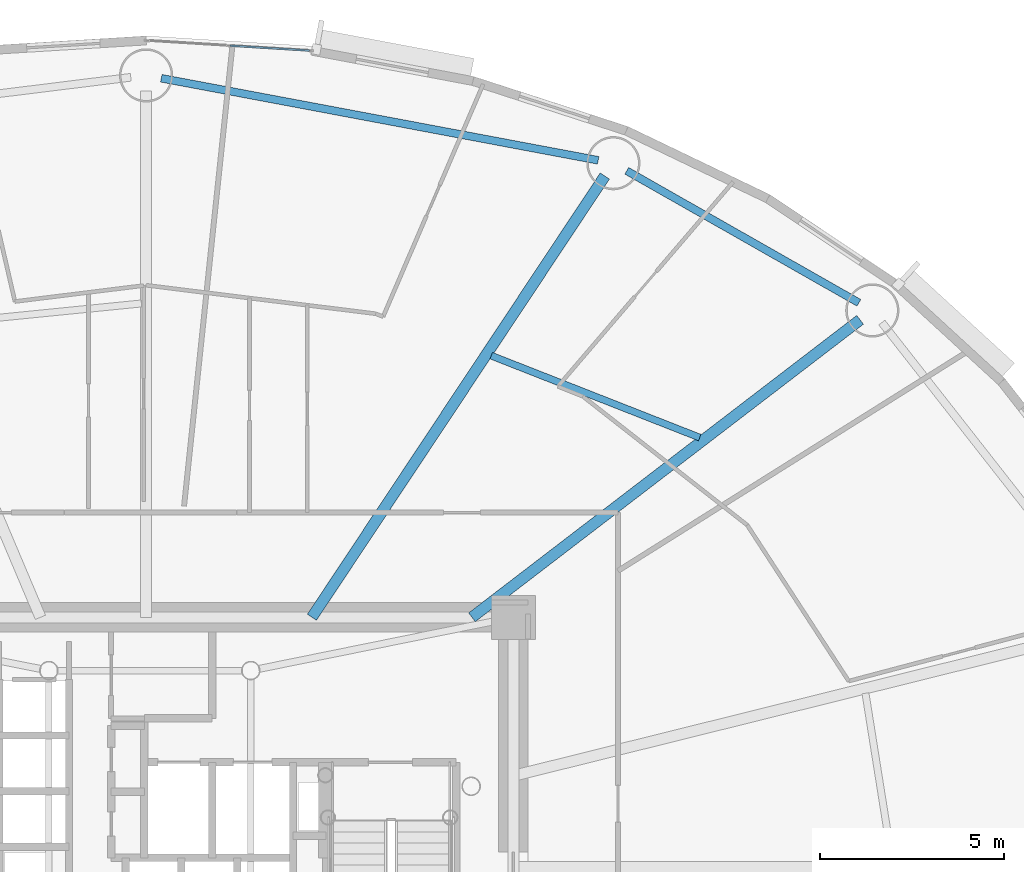
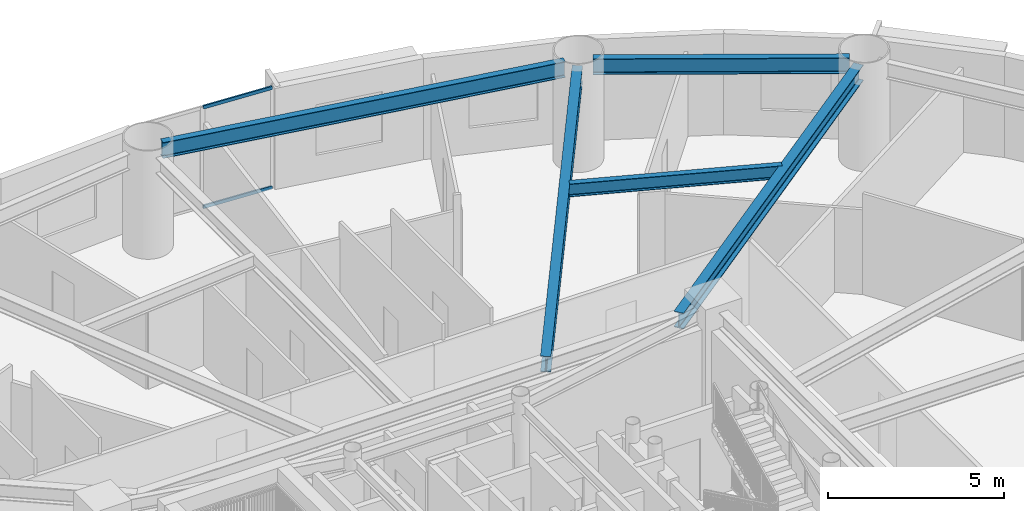
# One storey, part 5 of 19: 5 beams, 2 members, 1 element without a shape of its own.
"""IFC4 building model written with IfcOpenShell, lengths in metres."""

from ifc_helpers import new_model, si_unit, direction, frame, origin, origin_2d, place, context, subcontext, project, spatial, hollow_rectangle, i_section, extrude, source, transform, mapped, material, layer, layer_set, material_profile, profile_set, type_object, element, aggregate, save


model = new_model("IFC4")

# Units and contexts
model_context = context("Model", 3, precision=1e-05, world=origin(), true_north=direction((0.0, 1.0)))
body_context = subcontext(model_context, "Body", "Model", "MODEL_VIEW")
ifc_project = project(units=[si_unit("LENGTHUNIT", "METRE"), si_unit("AREAUNIT", "SQUARE_METRE"), si_unit("VOLUMEUNIT", "CUBIC_METRE"), si_unit("PLANEANGLEUNIT", "RADIAN"), si_unit("MASSUNIT", "GRAM", prefix="KILO")], contexts=[model_context])

# Site, building, storey
site_placement = place(None, origin())
site = spatial("IfcSite", under=ifc_project, at=site_placement, CompositionType="ELEMENT")
building_placement = place(site_placement, origin())
building = spatial("IfcBuilding", under=site, at=building_placement, Name="Linh Dai School and Residence Tower", CompositionType="ELEMENT")
storey_placement = place(building_placement, frame((0.0, 0.0, 119.699951171875)))
storey = spatial("IfcBuildingStorey", under=building, at=storey_placement, Name="L28", CompositionType="ELEMENT", Elevation=119.699951171875)

# Beams
ifc_material_1 = material(Name="Structural Steel S355JR", Category="steel")
ifc_material_profile_1 = material_profile(ifc_material_1, i_section(OverallWidth=0.2099609375, OverallDepth=0.550048828125, WebThickness=0.010986328125, FlangeThickness=0.01708984375, FilletRadius=0.02392578125, at=origin_2d()), Name="IPE 550")
ifc_profile_set_1 = profile_set([ifc_material_profile_1], Name="Structural Steel S355JR")
beam_type_1 = type_object("IfcBeamType", Name="BM-RB55", PredefinedType="BEAM", material=ifc_profile_set_1)
beam_1_placement = place(storey_placement, frame((55.407470703125, 42.363037109375, 3.22509765625), z_axis=(-0.86927031475, 0.494337050902, 0.0), x_axis=(-0.494337050902, -0.86927031475, 0.0)))
element("IfcBeam", 1, at=beam_1_placement, inside=storey, type_object=beam_type_1, Name="L28 Perimeter Elliptical Ring Beam 03", PredefinedType="BEAM", context=body_context, shape_type="SweptSolid", body=[
    extrude(i_section(OverallWidth=0.2099609375, OverallDepth=0.550048828125, WebThickness=0.010986328125, FlangeThickness=0.01708984375, FilletRadius=0.02392578125, at=origin_2d()), origin(), (0.0, 0.0, 1.0), 7.270751953125),
])
beam_2_placement = place(storey_placement, frame((48.30908203125, 46.24267578125, 3.22509765625), z_axis=(-0.982807507457, 0.184633158685, 0.0), x_axis=(-0.184633158685, -0.982807507457, 0.0)))
element("IfcBeam", 2, at=beam_2_placement, inside=storey, type_object=beam_type_1, Name="L28 Perimeter Elliptical Ring Beam 04", PredefinedType="BEAM", context=body_context, shape_type="SweptSolid", body=[
    extrude(i_section(OverallWidth=0.2099609375, OverallDepth=0.550048828125, WebThickness=0.010986328125, FlangeThickness=0.01708984375, FilletRadius=0.02392578125, at=origin_2d()), origin(), (0.0, 0.0, 1.0), 12.104248046875),
])
ifc_material_profile_2 = material_profile(ifc_material_1, i_section(OverallWidth=0.300048828125, OverallDepth=0.550048828125, WebThickness=0.014892578125, FlangeThickness=0.029052734375, FilletRadius=0.027099609375, at=origin_2d()), Name="HEB 550")
ifc_profile_set_2 = profile_set([ifc_material_profile_2], Name="Structural Steel S355JR")
beam_type_2 = type_object("IfcBeamType", Name="BM-RG55", PredefinedType="BEAM", material=ifc_profile_set_2)
beam_3_placement = place(storey_placement, frame((44.87158203125, 33.800048828125, 3.22509765625), z_axis=(0.793678660795, 0.608337228352, 0.0), x_axis=(-0.608337228352, 0.793678660795, 0.0)))
element("IfcBeam", 3, at=beam_3_placement, inside=storey, type_object=beam_type_2, Name="L28 Primary Radial Floor Girder 03", PredefinedType="BEAM", context=body_context, shape_type="SweptSolid", body=[
    extrude(i_section(OverallWidth=0.300048828125, OverallDepth=0.550048828125, WebThickness=0.014892578125, FlangeThickness=0.029052734375, FilletRadius=0.027099609375, at=origin_2d()), origin(), (0.0, 0.0, 1.0), 13.314697265625),
])
beam_4_placement = place(storey_placement, frame((40.513916015625, 33.800048828125, 3.22509765625), z_axis=(0.553054392401, 0.833145148846, 0.0), x_axis=(-0.833145148846, 0.553054392401, 0.0)))
element("IfcBeam", 4, at=beam_4_placement, inside=storey, type_object=beam_type_2, Name="L28 Primary Radial Floor Girder 04", PredefinedType="BEAM", context=body_context, shape_type="SweptSolid", body=[
    extrude(i_section(OverallWidth=0.300048828125, OverallDepth=0.550048828125, WebThickness=0.014892578125, FlangeThickness=0.029052734375, FilletRadius=0.027099609375, at=origin_2d()), origin(), (0.0, 0.0, 1.0), 14.42138671875),
])
ifc_material_profile_3 = material_profile(ifc_material_1, i_section(OverallWidth=0.18994140625, OverallDepth=0.449951171875, WebThickness=0.009521484375, FlangeThickness=0.0146484375, FilletRadius=0.02099609375, at=origin_2d()), Name="IPE 450")
ifc_profile_set_3 = profile_set([ifc_material_profile_3], Name="Structural Steel S355JR")
beam_type_3 = type_object("IfcBeamType", Name="BM-SB45", PredefinedType="BEAM", material=ifc_profile_set_3)
beam_5_placement = place(storey_placement, frame((51.0732421875, 38.693603515625, 3.275146484375), z_axis=(-0.930755385045, 0.365642466365, 0.0), x_axis=(-0.365642466365, -0.930755385045, 0.0)))
element("IfcBeam", 5, at=beam_5_placement, inside=storey, type_object=beam_type_3, Name="L28 Secondary Circumferential Floor Beam 02", PredefinedType="BEAM", context=body_context, shape_type="SweptSolid", body=[
    extrude(i_section(OverallWidth=0.18994140625, OverallDepth=0.449951171875, WebThickness=0.009521484375, FlangeThickness=0.0146484375, FilletRadius=0.02099609375, at=origin_2d()), origin(), (0.0, 0.0, 1.0), 6.10009765625),
])

# Curtain wall, members
ifc_material_2 = material(Name="Aluminium Anodised Curtain Wall", Category="aluminium")
ifc_layer = layer(ifc_material_2, 0.14990234375)
ifc_layer_set = layer_set([ifc_layer], Name="Aluminium Anodised Curtain Wall")
curtain_wall_type = type_object("IfcCurtainWallType", Name="CW-SYS-4", PredefinedType="USERDEFINED", material=ifc_layer_set)
curtain_wall_placement = place(storey_placement, origin())
curtain_wall = element("IfcCurtainWall", 6, at=curtain_wall_placement, inside=storey, type_object=curtain_wall_type, Name="L28 CW4 Curtain Wall 10", ObjectType="RIBBON CURTAIN WALL", PredefinedType="USERDEFINED")
ifc_material_3 = material(Name="Aluminium Alloy 6063-T6", Category="aluminium")
ifc_material_profile_4 = material_profile(ifc_material_3, hollow_rectangle(XDim=0.052001953125, YDim=0.114990234375, WallThickness=0.00390625, at=origin_2d()), Name="RHS 115x52x4")
ifc_profile_set_4 = profile_set([ifc_material_profile_4], Name="Aluminium Alloy 6063-T6")
member_type = type_object("IfcMemberType", Name="CW-SYS-4-TRN", PredefinedType="USERDEFINED", material=ifc_profile_set_4)
shared_shape = source(origin(), body_context, "Body", "SweptSolid", [
    extrude(hollow_rectangle(XDim=0.052001953125, YDim=0.114990234375, WallThickness=0.00390625, at=origin_2d()), origin(), (0.0, 0.0, 1.0), 2.178955078125),
])
member_1_placement = place(storey_placement, frame((38.27880859375, 49.364501953125, 0.026123046875), z_axis=(0.998106264791, -0.061513284617, 0.0), x_axis=(0.061513284617, 0.998106264791, 0.0)))
member_1 = element("IfcMember", 7, at=member_1_placement, type_object=member_type, Name="CW4 transom 2.1", ObjectType="TRANSOM", PredefinedType="USERDEFINED", context=body_context, shape_type="MappedRepresentation", body=[
    mapped(shared_shape, transform((0.0, 0.0, 0.0), x_axis=(1.0, 0.0, 0.0), y_axis=(0.0, 1.0, 0.0), z_axis=(0.0, 0.0, 1.0), scale=1.0)),
])
member_2_placement = place(storey_placement, frame((38.27880859375, 49.364501953125, 3.47412109375), z_axis=(0.998106264791, -0.061513284617, 0.0), x_axis=(0.061513284617, 0.998106264791, 0.0)))
member_2 = element("IfcMember", 8, at=member_2_placement, type_object=member_type, Name="CW4 transom 2.2", ObjectType="TRANSOM", PredefinedType="USERDEFINED", context=body_context, shape_type="MappedRepresentation", body=[
    mapped(shared_shape, transform((0.0, 0.0, 0.0), x_axis=(1.0, 0.0, 0.0), y_axis=(0.0, 1.0, 0.0), z_axis=(0.0, 0.0, 1.0), scale=1.0)),
])
aggregate(curtain_wall, [member_1, member_2])

save(model, "model.ifc")
